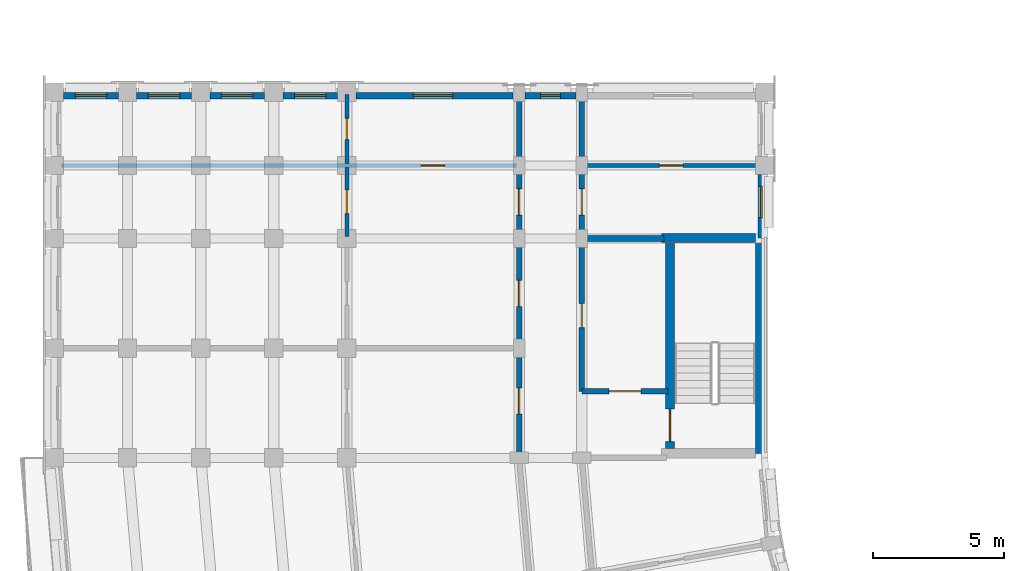
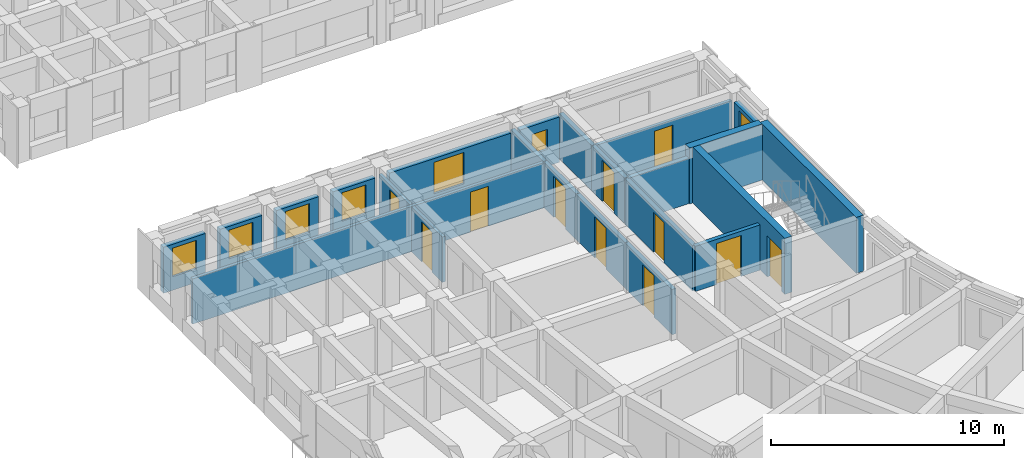
# One storey, part 20 of 57: 23 walls, 11 doors, 7 windows, 18 openings.
"""IFC4 building model written with IfcOpenShell, lengths in metres."""

import ifcopenshell
import ifcopenshell.guid

model = None  # the IFC model being written
_history = None  # IfcOwnerHistory: only IFC2X3 demands one
_inside = {}  # id of a spatial element -> (the spatial element, [elements in it])
_under = {}  # id of a project, library or spatial element -> (it, [spatial elements below it])
_declared = {}  # id of a project -> (the project, [libraries it declares])
_typed = {}  # id of a type object -> (the type object, [elements of that type])
_made_of = {}  # id of a material, layer set ... -> (it, [elements and type objects made of it])


def new_model(schema):
    """Start an empty IFC model of exactly this schema.

    Asked for "IFC4X3", IfcOpenShell would pick the latest addendum, in which some entities
    have other attributes; the version numbers below select the first issue.
    IFC2X3 requires an IfcOwnerHistory on every rooted entity: one is made here for all.
    """
    global model, _history
    if schema == "IFC4X3":
        model = ifcopenshell.file(schema_version=(4, 3, 0, 0))
    else:
        model = ifcopenshell.file(schema=schema)
    _inside.clear()
    _under.clear()
    _declared.clear()
    _typed.clear()
    _made_of.clear()
    _history = None
    if model.schema == "IFC2X3":
        org = make("IfcOrganization", Name="unknown")
        user = make(
            "IfcPersonAndOrganization",
            ThePerson=make("IfcPerson", FamilyName="unknown"),
            TheOrganization=org,
        )
        app = make(
            "IfcApplication",
            ApplicationDeveloper=org,
            Version="unknown",
            ApplicationFullName="unknown",
            ApplicationIdentifier="unknown",
        )
        _history = make(
            "IfcOwnerHistory",
            OwningUser=user,
            OwningApplication=app,
            ChangeAction="ADDED",
            CreationDate=0,
        )
    return model


def make(cls, **values):
    """One entity of the class cls with the attributes given. An attribute that is None is left unset."""
    return model.create_entity(
        cls, **{name: value for name, value in values.items() if value is not None}
    )


def rooted(cls, **values):
    """An entity with a GlobalId (a new one), such as an element, a storey or a relation."""
    return make(cls, GlobalId=ifcopenshell.guid.new(), OwnerHistory=_history, **values)


def si_unit(unit_type, name, prefix=None):
    """IfcSIUnit, for example si_unit("LENGTHUNIT", "METRE", prefix="MILLI")."""
    return make("IfcSIUnit", UnitType=unit_type, Prefix=prefix, Name=name)


def assignment(units):
    """IfcUnitAssignment: the units of a project."""
    return None if units is None else make("IfcUnitAssignment", Units=units)


def point(xyz):
    """IfcCartesianPoint."""
    return None if xyz is None else make("IfcCartesianPoint", Coordinates=xyz)


def direction(xyz):
    """IfcDirection."""
    return None if xyz is None else make("IfcDirection", DirectionRatios=xyz)


def frame(location, z_axis=None, x_axis=None):
    """IfcAxis2Placement3D, a coordinate frame: its origin and axes. An axis left out is left unset."""
    return make(
        "IfcAxis2Placement3D",
        Location=point(location),
        Axis=direction(z_axis),
        RefDirection=direction(x_axis),
    )


def frame_2d(location, x_axis=None):
    """IfcAxis2Placement2D, a coordinate frame in the plane: its origin and x axis."""
    return make(
        "IfcAxis2Placement2D", Location=point(location), RefDirection=direction(x_axis)
    )


def origin():
    """The frame at (0, 0, 0) with its axes left unset."""
    return frame((0.0, 0.0, 0.0))


def place(relative_to, where):
    """IfcLocalPlacement: puts the frame where relative to a parent placement (None: the world)."""
    return make(
        "IfcLocalPlacement", PlacementRelTo=relative_to, RelativePlacement=where
    )


def context(
    kind, dimensions, precision=None, world=None, true_north=None, identifier=None
):
    """IfcGeometricRepresentationContext, for example the 3D "Model" context."""
    return make(
        "IfcGeometricRepresentationContext",
        ContextIdentifier=identifier,
        ContextType=kind,
        CoordinateSpaceDimension=dimensions,
        Precision=precision,
        WorldCoordinateSystem=world,
        TrueNorth=true_north,
    )


def subcontext(parent, identifier, kind, view, scale=None):
    """IfcGeometricRepresentationSubContext, for example "Body" below "Model"."""
    return make(
        "IfcGeometricRepresentationSubContext",
        ContextIdentifier=identifier,
        ContextType=kind,
        ParentContext=parent,
        TargetScale=scale,
        TargetView=view,
    )


def project(units=None, contexts=None):
    """IfcProject with its units and contexts."""
    return rooted(
        "IfcProject",
        Name="project",
        RepresentationContexts=contexts,
        UnitsInContext=assignment(units),
    )


def spatial(cls, under=None, at=None, **own):
    """A site, building, storey or space (cls), placed at a placement, below another one or the project."""
    s = rooted(cls, ObjectPlacement=at, **own)
    if under is not None:
        _under.setdefault(under.id(), (under, []))[1].append(s)
    return s


def profile(cls, at=None, kind="AREA", **sizes):
    """A parametric profile (cls). Its sizes go by their IFC names, for example OverallWidth=200.0."""
    return make(cls, ProfileType=kind, Position=at, **sizes)


def rectangle(**sizes):
    """IfcRectangleProfileDef."""
    return profile("IfcRectangleProfileDef", **sizes)


def extrude(swept, where, along, depth):
    """IfcExtrudedAreaSolid: the profile swept, set in the frame where, extruded along a direction by depth."""
    return make(
        "IfcExtrudedAreaSolid",
        SweptArea=swept,
        Position=where,
        ExtrudedDirection=direction(along),
        Depth=depth,
    )


def shape(context_of_items, identifier, shape_type, items):
    """IfcShapeRepresentation: the items that make up one representation, for example the "Body"."""
    return make(
        "IfcShapeRepresentation",
        ContextOfItems=context_of_items,
        RepresentationIdentifier=identifier,
        RepresentationType=shape_type,
        Items=items,
    )


def material(Name=None, Category=None):
    """IfcMaterial."""
    return make("IfcMaterial", Name=Name, Category=Category)


def layer(
    of_material, thickness, ventilated=None, Name=None, Category=None, Priority=None
):
    """IfcMaterialLayer: one layer of a wall or slab, of a material (None: an air gap)."""
    return make(
        "IfcMaterialLayer",
        Material=of_material,
        LayerThickness=thickness,
        IsVentilated=ventilated,
        Name=Name,
        Category=Category,
        Priority=Priority,
    )


def layer_set(layers, Name=None):
    """IfcMaterialLayerSet."""
    return make("IfcMaterialLayerSet", MaterialLayers=layers, LayerSetName=Name)


def made_of(thing, what):
    """Note that an element or type object is made of a material, layer set ...; save() writes the relation."""
    if what is not None:
        _made_of.setdefault(what.id(), (what, []))[1].append(thing)
    return thing


def type_object(cls, material=None, **own):
    """A type object (cls), such as IfcWallType, which elements share."""
    return made_of(rooted(cls, **own), material)


def element(
    cls,
    number,
    at=None,
    inside=None,
    cuts=None,
    type_object=None,
    material=None,
    context=None,
    identifier="Body",
    shape_type=None,
    held_by="IfcProductDefinitionShape",
    body=None,
    shapes=None,
    **own,
):
    """One element of the class cls, such as IfcWall. Its Tag is "e" and its number.

    at: its placement. inside: the storey or other place that contains it. cuts: it is an
    opening in that element (IfcRelVoidsElement). A single representation is given by context,
    identifier, shape_type and body (its items); several are given by shapes. held_by: the class
    of the entity that holds the representations. save() writes the other relations.
    """
    e = rooted(cls, Tag="e%d" % number, ObjectPlacement=at, **own)
    if body is not None:
        shapes = [shape(context, identifier, shape_type, body)]
    if shapes is not None:
        e.Representation = make(held_by, Representations=shapes)
    if inside is not None:
        _inside.setdefault(inside.id(), (inside, []))[1].append(e)
    if cuts is not None:
        rooted(
            "IfcRelVoidsElement", RelatingBuildingElement=cuts, RelatedOpeningElement=e
        )
    if type_object is not None:
        _typed.setdefault(type_object.id(), (type_object, []))[1].append(e)
    return made_of(e, material)


def fill(opening, filler):
    """IfcRelFillsElement: the door or window that sits in an opening."""
    return rooted(
        "IfcRelFillsElement",
        RelatingOpeningElement=opening,
        RelatedBuildingElement=filler,
    )


def aggregate(whole, parts):
    """IfcRelAggregates: a whole, such as a stair, and the parts it consists of."""
    return rooted("IfcRelAggregates", RelatingObject=whole, RelatedObjects=parts)


def save(model, path):
    """Write the relations noted so far, then the file.

    IfcRelAggregates (storeys below a building ...), IfcRelContainedInSpatialStructure (elements
    in a storey), IfcRelDefinesByType, IfcRelAssociatesMaterial and IfcRelDeclares: one each for
    every whole, place, type object, material and project.
    """
    for whole, parts in _under.values():
        aggregate(whole, parts)
    for where, things in _inside.values():
        rooted(
            "IfcRelContainedInSpatialStructure",
            RelatedElements=things,
            RelatingStructure=where,
        )
    for kind, things in _typed.values():
        rooted("IfcRelDefinesByType", RelatedObjects=things, RelatingType=kind)
    for what, things in _made_of.values():
        rooted("IfcRelAssociatesMaterial", RelatedObjects=things, RelatingMaterial=what)
    for by, libraries in _declared.values():
        rooted("IfcRelDeclares", RelatingContext=by, RelatedDefinitions=libraries)
    model.write(path)


model = new_model("IFC4")

# Units and contexts
model_context = context("Model", 3, precision=1e-05, world=origin(), true_north=direction((0.0, 1.0)))
body_context = subcontext(model_context, "Body", "Model", "MODEL_VIEW")
ifc_project = project(units=[si_unit("LENGTHUNIT", "METRE"), si_unit("AREAUNIT", "SQUARE_METRE"), si_unit("VOLUMEUNIT", "CUBIC_METRE"), si_unit("PLANEANGLEUNIT", "RADIAN"), si_unit("MASSUNIT", "GRAM", prefix="KILO")], contexts=[model_context])

# Site, building, storey
site_placement = place(None, origin())
site = spatial("IfcSite", under=ifc_project, at=site_placement, CompositionType="ELEMENT")
building_placement = place(site_placement, origin())
building = spatial("IfcBuilding", under=site, at=building_placement, Name="Kiranvali Square Residences", CompositionType="ELEMENT")
storey_placement = place(building_placement, frame((0.0, 0.0, 18.14990234375)))
storey = spatial("IfcBuildingStorey", under=building, at=storey_placement, Name="L05", CompositionType="ELEMENT", Elevation=18.14990234375)

# Wall, opening, door
ifc_material_1 = material(Name="Autoclaved aerated concrete blockwork masonry", Category="masonry")
ifc_layer_1 = layer(ifc_material_1, 0.199951171875)
ifc_layer_set_1 = layer_set([ifc_layer_1], Name="Autoclaved aerated concrete blockwork masonry")
wall_type_1 = type_object("IfcWallType", Name="WL-COR-200", PredefinedType="STANDARD", material=ifc_layer_set_1)
wall_1_placement = place(storey_placement, frame((25.699951171875, 50.75, 0.0), z_axis=(0.0, 0.0, 1.0), x_axis=(-1.0, 0.0, 0.0)))
wall_1 = element("IfcWall", 1, at=wall_1_placement, inside=storey, type_object=wall_type_1, Name="L05 architectural wall WL-L05-C-S3-V", PredefinedType="STANDARD", context=body_context, shape_type="SweptSolid", body=[
    extrude(rectangle(XDim=3.300048828125, YDim=0.199951171875, at=frame_2d((1.64990234375, 0.0))), origin(), (0.0, 0.0, 1.0), 2.3720703125),
])
opening_1_placement = place(wall_1_placement, frame((1.0400390625, 0.0, 0.0)))
opening_1 = element("IfcOpeningElement", 2, at=opening_1_placement, cuts=wall_1, Name="Opening FD-COR-60", PredefinedType="OPENING", context=body_context, shape_type="SweptSolid", body=[
    extrude(rectangle(XDim=1.219970703125, YDim=2.14990234375, at=frame_2d((0.60986328125, 1.074951171875))), frame((0.0, 0.10986328125, 0.0), z_axis=(0.0, -1.0, 0.0), x_axis=(1.0, 0.0, 0.0)), (0.0, 0.0, 1.0), 0.219970703125),
])
ifc_material_2 = material(Name="Fire-rated acoustic hardwood and mineral-core door assembly", Category="wood")
door_type_1 = type_object("IfcDoorType", Name="DR-FD60-1200", OperationType="NOTDEFINED", PredefinedType="DOOR", material=ifc_material_2)
door_1_placement = place(opening_1_placement, origin())
door_1 = element("IfcDoor", 3, at=door_1_placement, inside=storey, type_object=door_type_1, Name="L05 door DR-L05-2029 (DR-FD60-1200)", OperationType="SINGLE_SWING_LEFT", OverallHeight=2.14990234375, OverallWidth=1.219970703125, PredefinedType="DOOR", context=body_context, shape_type="SweptSolid", body=[
    extrude(rectangle(XDim=1.219970703125, YDim=2.14990234375, at=frame_2d((0.60986328125, 1.074951171875))), frame((0.0, 0.02490234375, 0.0), z_axis=(0.0, -1.0, 0.0), x_axis=(1.0, 0.0, 0.0)), (0.0, 0.0, 1.0), 0.050048828125),
])
fill(opening_1, door_1)

wall_2_placement = place(storey_placement, frame((22.39990234375, 50.75, 0.0), z_axis=(0.0, 0.0, 1.0), x_axis=(0.0, 1.0, 0.0)))
wall_2 = element("IfcWall", 4, at=wall_2_placement, inside=storey, type_object=wall_type_1, Name="L05 architectural wall WL-L05-C-S3-COR", PredefinedType="STANDARD", context=body_context, shape_type="SweptSolid", body=[
    extrude(rectangle(XDim=5.800048828125, YDim=0.199951171875, at=frame_2d((2.89990234375, 0.0))), origin(), (0.0, 0.0, 1.0), 2.3720703125),
])
opening_2_placement = place(wall_2_placement, frame((2.43994140625, 0.0, 0.0)))
opening_2 = element("IfcOpeningElement", 5, at=opening_2_placement, cuts=wall_2, Name="Opening FD-SVC-120", PredefinedType="OPENING", context=body_context, shape_type="SweptSolid", body=[
    extrude(rectangle(XDim=0.919921875, YDim=2.10009765625, at=frame_2d((0.4599609375, 1.050048828125))), frame((0.0, 0.10986328125, 0.0), z_axis=(0.0, -1.0, 0.0), x_axis=(1.0, 0.0, 0.0)), (0.0, 0.0, 1.0), 0.219970703125),
])
door_type_2 = type_object("IfcDoorType", Name="DR-SVC-900", OperationType="NOTDEFINED", PredefinedType="DOOR", material=ifc_material_2)
door_2_placement = place(opening_2_placement, frame((0.919921875, 0.0, 0.0), z_axis=(0.0, 0.0, 1.0), x_axis=(-1.0, 0.0, 0.0)))
door_2 = element("IfcDoor", 6, at=door_2_placement, inside=storey, type_object=door_type_2, Name="L05 door DR-L05-2030 (DR-SVC-900)", OperationType="SINGLE_SWING_RIGHT", OverallHeight=2.10009765625, OverallWidth=0.919921875, PredefinedType="DOOR", context=body_context, shape_type="SweptSolid", body=[
    extrude(rectangle(XDim=0.919921875, YDim=2.10009765625, at=frame_2d((0.4599609375, 1.050048828125))), frame((0.0, 0.02490234375, 0.0), z_axis=(0.0, -1.0, 0.0), x_axis=(1.0, 0.0, 0.0)), (0.0, 0.0, 1.0), 0.050048828125),
])
fill(opening_2, door_2)

wall_3_placement = place(storey_placement, frame((20.0, 48.35009765625, 0.0), z_axis=(0.0, 0.0, 1.0), x_axis=(0.0, 1.0, 0.0)))
wall_3 = element("IfcWall", 7, at=wall_3_placement, inside=storey, type_object=wall_type_1, Name="L05 architectural wall WL-L05-C-A2CF-C0", PredefinedType="STANDARD", context=body_context, shape_type="SweptSolid", body=[
    extrude(rectangle(XDim=4.0498046875, YDim=0.199951171875, at=frame_2d((2.02490234375, 0.0))), origin(), (0.0, 0.0, 1.0), 2.3720703125),
])
opening_3_placement = place(wall_3_placement, frame((1.52490234375, 0.0, 0.0)))
opening_3 = element("IfcOpeningElement", 8, at=opening_3_placement, cuts=wall_3, Name="Opening FD-APT-60", PredefinedType="OPENING", context=body_context, shape_type="SweptSolid", body=[
    extrude(rectangle(XDim=1.0, YDim=2.14990234375, at=frame_2d((0.5, 1.074951171875))), frame((0.0, 0.10986328125, 0.0), z_axis=(0.0, -1.0, 0.0), x_axis=(1.0, 0.0, 0.0)), (0.0, 0.0, 1.0), 0.219970703125),
])
door_type_3 = type_object("IfcDoorType", Name="DR-APT-1000", OperationType="NOTDEFINED", PredefinedType="DOOR", material=ifc_material_2)
door_3_placement = place(opening_3_placement, frame((1.0, 0.0, 0.0), z_axis=(0.0, 0.0, 1.0), x_axis=(-1.0, 0.0, 0.0)))
door_3 = element("IfcDoor", 9, at=door_3_placement, inside=storey, type_object=door_type_3, Name="L05 door DR-L05-2074 (DR-APT-1000)", OperationType="SINGLE_SWING_RIGHT", OverallHeight=2.14990234375, OverallWidth=1.0, PredefinedType="DOOR", context=body_context, shape_type="SweptSolid", body=[
    extrude(rectangle(XDim=1.0, YDim=2.14990234375, at=frame_2d((0.5, 1.074951171875))), frame((0.0, 0.02490234375, 0.0), z_axis=(0.0, -1.0, 0.0), x_axis=(1.0, 0.0, 0.0)), (0.0, 0.0, 1.0), 0.050048828125),
])
fill(opening_3, door_3)

wall_4_placement = place(storey_placement, frame((20.0, 52.39990234375, 0.0), z_axis=(0.0, 0.0, 1.0), x_axis=(0.0, 1.0, 0.0)))
wall_4 = element("IfcWall", 10, at=wall_4_placement, inside=storey, type_object=wall_type_1, Name="L05 architectural wall WL-L05-C-A2CF-C1", PredefinedType="STANDARD", context=body_context, shape_type="SweptSolid", body=[
    extrude(rectangle(XDim=4.2001953125, YDim=0.199951171875, at=frame_2d((2.10009765625, 0.0))), origin(), (0.0, 0.0, 1.0), 2.3720703125),
])
opening_4_placement = place(wall_4_placement, frame((1.60009765625, 0.0, 0.0)))
opening_4 = element("IfcOpeningElement", 11, at=opening_4_placement, cuts=wall_4, Name="Opening FD-APT-60", PredefinedType="OPENING", context=body_context, shape_type="SweptSolid", body=[
    extrude(rectangle(XDim=1.0, YDim=2.14990234375, at=frame_2d((0.5, 1.074951171875))), frame((0.0, 0.10986328125, 0.0), z_axis=(0.0, -1.0, 0.0), x_axis=(1.0, 0.0, 0.0)), (0.0, 0.0, 1.0), 0.219970703125),
])
door_4_placement = place(opening_4_placement, frame((1.0, 0.0, 0.0), z_axis=(0.0, 0.0, 1.0), x_axis=(-1.0, 0.0, 0.0)))
door_4 = element("IfcDoor", 12, at=door_4_placement, inside=storey, type_object=door_type_3, Name="L05 door DR-L05-2076 (DR-APT-1000)", OperationType="SINGLE_SWING_RIGHT", OverallHeight=2.14990234375, OverallWidth=1.0, PredefinedType="DOOR", context=body_context, shape_type="SweptSolid", body=[
    extrude(rectangle(XDim=1.0, YDim=2.14990234375, at=frame_2d((0.5, 1.074951171875))), frame((0.0, 0.02490234375, 0.0), z_axis=(0.0, -1.0, 0.0), x_axis=(1.0, 0.0, 0.0)), (0.0, 0.0, 1.0), 0.050048828125),
])
fill(opening_4, door_4)

wall_5_placement = place(storey_placement, frame((22.39990234375, 56.60009765625, 0.0), z_axis=(0.0, 0.0, 1.0), x_axis=(0.0, 1.0, 0.0)))
wall_5 = element("IfcWall", 13, at=wall_5_placement, inside=storey, type_object=wall_type_1, Name="L05 architectural wall WL-L05-C-A2CI-0", PredefinedType="STANDARD", context=body_context, shape_type="SweptSolid", body=[
    extrude(rectangle(XDim=2.7998046875, YDim=0.199951171875, at=frame_2d((1.39990234375, 0.0))), origin(), (0.0, 0.0, 1.0), 2.3720703125),
])
opening_5_placement = place(wall_5_placement, frame((0.89990234375, 0.0, 0.0)))
opening_5 = element("IfcOpeningElement", 14, at=opening_5_placement, cuts=wall_5, Name="Opening FD-APT-60", PredefinedType="OPENING", context=body_context, shape_type="SweptSolid", body=[
    extrude(rectangle(XDim=1.0, YDim=2.14990234375, at=frame_2d((0.5, 1.074951171875))), frame((0.0, 0.10986328125, 0.0), z_axis=(0.0, -1.0, 0.0), x_axis=(1.0, 0.0, 0.0)), (0.0, 0.0, 1.0), 0.219970703125),
])
door_5_placement = place(opening_5_placement, frame((1.0, 0.0, 0.0), z_axis=(0.0, 0.0, 1.0), x_axis=(-1.0, 0.0, 0.0)))
door_5 = element("IfcDoor", 15, at=door_5_placement, inside=storey, type_object=door_type_3, Name="L05 door DR-L05-2078 (DR-APT-1000)", OperationType="SINGLE_SWING_RIGHT", OverallHeight=2.14990234375, OverallWidth=1.0, PredefinedType="DOOR", context=body_context, shape_type="SweptSolid", body=[
    extrude(rectangle(XDim=1.0, YDim=2.14990234375, at=frame_2d((0.5, 1.074951171875))), frame((0.0, 0.02490234375, 0.0), z_axis=(0.0, -1.0, 0.0), x_axis=(1.0, 0.0, 0.0)), (0.0, 0.0, 1.0), 0.050048828125),
])
fill(opening_5, door_5)

wall_6_placement = place(storey_placement, frame((20.0, 56.60009765625, 0.0), z_axis=(0.0, 0.0, 1.0), x_axis=(0.0, 1.0, 0.0)))
wall_6 = element("IfcWall", 16, at=wall_6_placement, inside=storey, type_object=wall_type_1, Name="L05 architectural wall WL-L05-C-A2CO-0", PredefinedType="STANDARD", context=body_context, shape_type="SweptSolid", body=[
    extrude(rectangle(XDim=2.7998046875, YDim=0.199951171875, at=frame_2d((1.39990234375, 0.0))), origin(), (0.0, 0.0, 1.0), 2.3720703125),
])
opening_6_placement = place(wall_6_placement, frame((0.89990234375, 0.0, 0.0)))
opening_6 = element("IfcOpeningElement", 17, at=opening_6_placement, cuts=wall_6, Name="Opening FD-APT-60", PredefinedType="OPENING", context=body_context, shape_type="SweptSolid", body=[
    extrude(rectangle(XDim=1.0, YDim=2.14990234375, at=frame_2d((0.5, 1.074951171875))), frame((0.0, 0.10986328125, 0.0), z_axis=(0.0, -1.0, 0.0), x_axis=(1.0, 0.0, 0.0)), (0.0, 0.0, 1.0), 0.219970703125),
])
door_6_placement = place(opening_6_placement, frame((1.0, 0.0, 0.0), z_axis=(0.0, 0.0, 1.0), x_axis=(-1.0, 0.0, 0.0)))
door_6 = element("IfcDoor", 18, at=door_6_placement, inside=storey, type_object=door_type_3, Name="L05 door DR-L05-2080 (DR-APT-1000)", OperationType="SINGLE_SWING_RIGHT", OverallHeight=2.14990234375, OverallWidth=1.0, PredefinedType="DOOR", context=body_context, shape_type="SweptSolid", body=[
    extrude(rectangle(XDim=1.0, YDim=2.14990234375, at=frame_2d((0.5, 1.074951171875))), frame((0.0, 0.02490234375, 0.0), z_axis=(0.0, -1.0, 0.0), x_axis=(1.0, 0.0, 0.0)), (0.0, 0.0, 1.0), 0.050048828125),
])
fill(opening_6, door_6)

# Walls
for number, where, z_axis, x_axis, name in (
    (19, (22.39990234375, 59.39990234375, 0.0), (0.0, 0.0, 1.0), (0.0, 1.0, 0.0), "L05 architectural wall WL-L05-C-A2CI-1"),
    (20, (20.0, 59.39990234375, 0.0), (0.0, 0.0, 1.0), (0.0, 1.0, 0.0), "L05 architectural wall WL-L05-C-A2CO-1"),
):
    element("IfcWall", number, at=place(storey_placement, frame(where, z_axis=z_axis, x_axis=x_axis)), inside=storey, type_object=wall_type_1, Name=name, PredefinedType="STANDARD", context=body_context, shape_type="SweptSolid", body=[
        extrude(rectangle(XDim=2.800048828125, YDim=0.199951171875, at=frame_2d((1.39990234375, 0.0))), origin(), (0.0, 0.0, 1.0), 2.3720703125),
    ])
ifc_layer_2 = layer(ifc_material_1, 0.219970703125)
ifc_layer_set_2 = layer_set([ifc_layer_2], Name="Autoclaved aerated concrete blockwork masonry")
wall_type_2 = type_object("IfcWallType", Name="WL-DEM-220", PredefinedType="STANDARD", material=ifc_layer_set_2)
wall_7_placement = place(storey_placement, frame((25.550048828125, 56.60009765625, 0.0), z_axis=(0.0, 0.0, 1.0), x_axis=(-1.0, 0.0, 0.0)))
element("IfcWall", 21, at=wall_7_placement, inside=storey, type_object=wall_type_2, Name="L05 architectural wall WL-L05-C-A2TI-0", PredefinedType="STANDARD", context=body_context, shape_type="SweptSolid", body=[
    extrude(rectangle(XDim=3.10009765625, YDim=0.219970703125, at=frame_2d((1.550048828125, 0.0))), origin(), (0.0, 0.0, 1.0), 2.3720703125),
])

# Wall, opening, window
ifc_material_3 = material(Name="Breathable lime-rendered clay brick masonry", Category="masonry")
ifc_layer_3 = layer(ifc_material_3, 0.25)
ifc_layer_set_3 = layer_set([ifc_layer_3], Name="Breathable lime-rendered clay brick masonry")
wall_type_3 = type_object("IfcWallType", Name="WL-EXT-250", PredefinedType="STANDARD", material=ifc_layer_set_3)
wall_8_placement = place(storey_placement, frame((29.27490234375, 56.62841796875, 0.0), z_axis=(0.0, 0.0, 1.0), x_axis=(0.0, 1.0, 0.0)))
wall_8 = element("IfcWall", 22, at=wall_8_placement, inside=storey, type_object=wall_type_3, Name="L05 exterior wall C-L05-A2I-0", PredefinedType="STANDARD", context=body_context, shape_type="SweptSolid", body=[
    extrude(rectangle(XDim=2.41796875, YDim=0.25, at=frame_2d((1.208984375, 0.0))), origin(), (0.0, 0.0, 1.0), 2.47216796875),
])
opening_7_placement = place(wall_8_placement, frame((0.771484375, 0.0, 0.77197265625)))
opening_7 = element("IfcOpeningElement", 23, at=opening_7_placement, cuts=wall_8, Name="Opening W-06", PredefinedType="OPENING", context=body_context, shape_type="SweptSolid", body=[
    extrude(rectangle(XDim=1.199951171875, YDim=1.5, at=frame_2d((0.60009765625, 0.75))), frame((0.0, 0.135009765625, 0.0), z_axis=(0.0, -1.0, 0.0), x_axis=(1.0, 0.0, 0.0)), (0.0, 0.0, 1.0), 0.27001953125),
])
ifc_material_4 = material(Name="Solar-control low-e double glazing", Category="glass")
window_type_1 = type_object("IfcWindowType", Name="WIN-RES-1200x1500", PartitioningType="SINGLE_PANEL", PredefinedType="WINDOW", material=ifc_material_4)
window_1_placement = place(opening_7_placement, origin())
window_1 = element("IfcWindow", 24, at=window_1_placement, inside=storey, type_object=window_type_1, Name="L05 recessed window C-L05-A2I-0", OverallHeight=1.5, OverallWidth=1.199951171875, PartitioningType="SINGLE_PANEL", PredefinedType="WINDOW", context=body_context, shape_type="SweptSolid", body=[
    extrude(rectangle(XDim=1.199951171875, YDim=1.5, at=frame_2d((0.60009765625, 0.75))), frame((0.0, 0.030029296875, 0.0), z_axis=(0.0, -1.0, 0.0), x_axis=(1.0, 0.0, 0.0)), (0.0, 0.0, 1.0), 0.06005859375),
])
fill(opening_7, window_1)

wall_9_placement = place(storey_placement, frame((22.17138671875, 62.074951171875, 0.0), z_axis=(0.0, 0.0, 1.0), x_axis=(-1.0, 0.0, 0.0)))
wall_9 = element("IfcWall", 25, at=wall_9_placement, inside=storey, type_object=wall_type_3, Name="L05 exterior wall C-L05-A2END-1", PredefinedType="STANDARD", context=body_context, shape_type="SweptSolid", body=[
    extrude(rectangle(XDim=1.94287109375, YDim=0.25, at=frame_2d((0.971435546875, 0.0))), origin(), (0.0, 0.0, 1.0), 2.3720703125),
])
opening_8_placement = place(wall_9_placement, frame((0.596435546875, 0.0, 0.8798828125)))
opening_8 = element("IfcOpeningElement", 26, at=opening_8_placement, cuts=wall_9, Name="Opening W-07", PredefinedType="OPENING", context=body_context, shape_type="SweptSolid", body=[
    extrude(rectangle(XDim=0.75, YDim=1.050048828125, at=frame_2d((0.375, 0.52490234375))), frame((0.0, 0.135009765625, 0.0), z_axis=(0.0, -1.0, 0.0), x_axis=(1.0, 0.0, 0.0)), (0.0, 0.0, 1.0), 0.27001953125),
])
window_type_2 = type_object("IfcWindowType", Name="WIN-WET-750x1050", PartitioningType="SINGLE_PANEL", PredefinedType="WINDOW", material=ifc_material_4)
window_2_placement = place(opening_8_placement, origin())
window_2 = element("IfcWindow", 27, at=window_2_placement, inside=storey, type_object=window_type_2, Name="L05 recessed window C-L05-A2END-1", OverallHeight=1.050048828125, OverallWidth=0.75, PartitioningType="SINGLE_PANEL", PredefinedType="WINDOW", context=body_context, shape_type="SweptSolid", body=[
    extrude(rectangle(XDim=0.75, YDim=1.050048828125, at=frame_2d((0.375, 0.52490234375))), frame((0.0, 0.030029296875, 0.0), z_axis=(0.0, -1.0, 0.0), x_axis=(1.0, 0.0, 0.0)), (0.0, 0.0, 1.0), 0.06005859375),
])
fill(opening_8, window_2)

wall_10_placement = place(storey_placement, frame((19.771484375, 62.074951171875, 0.0), z_axis=(0.0, 0.0, 1.0), x_axis=(-1.0, 0.0, 0.0)))
wall_10 = element("IfcWall", 28, at=wall_10_placement, inside=storey, type_object=wall_type_3, Name="L05 exterior wall C-L05-A2END-2", PredefinedType="STANDARD", context=body_context, shape_type="SweptSolid", body=[
    extrude(rectangle(XDim=6.01806640625, YDim=0.25, at=frame_2d((3.009033203125, 0.0))), origin(), (0.0, 0.0, 1.0), 2.3720703125),
])
opening_9_placement = place(wall_10_placement, frame((2.321533203125, 0.0, 0.52197265625)))
opening_9 = element("IfcOpeningElement", 29, at=opening_9_placement, cuts=wall_10, Name="Opening W-05", PredefinedType="OPENING", context=body_context, shape_type="SweptSolid", body=[
    extrude(rectangle(XDim=1.5, YDim=1.64990234375, at=frame_2d((0.75, 0.824951171875))), frame((0.0, 0.135009765625, 0.0), z_axis=(0.0, -1.0, 0.0), x_axis=(1.0, 0.0, 0.0)), (0.0, 0.0, 1.0), 0.27001953125),
])
window_type_3 = type_object("IfcWindowType", Name="WIN-RES-1500x1650", PartitioningType="DOUBLE_PANEL_VERTICAL", PredefinedType="WINDOW", material=ifc_material_4)
window_3_placement = place(opening_9_placement, origin())
window_3 = element("IfcWindow", 30, at=window_3_placement, inside=storey, type_object=window_type_3, Name="L05 recessed window C-L05-A2END-2", OverallHeight=1.64990234375, OverallWidth=1.5, PartitioningType="DOUBLE_PANEL_VERTICAL", PredefinedType="WINDOW", context=body_context, shape_type="SweptSolid", body=[
    extrude(rectangle(XDim=1.5, YDim=1.64990234375, at=frame_2d((0.75, 0.824951171875))), frame((0.0, 0.030029296875, 0.0), z_axis=(0.0, -1.0, 0.0), x_axis=(1.0, 0.0, 0.0)), (0.0, 0.0, 1.0), 0.06005859375),
])
fill(opening_9, window_3)

wall_11_placement = place(storey_placement, frame((13.04638671875, 62.074951171875, 0.0), z_axis=(0.0, 0.0, 1.0), x_axis=(-1.0, 0.0, 0.0)))
wall_11 = element("IfcWall", 31, at=wall_11_placement, inside=storey, type_object=wall_type_3, Name="L05 exterior wall C-L05-A2END-3", PredefinedType="STANDARD", context=body_context, shape_type="SweptSolid", body=[
    extrude(rectangle(XDim=2.0927734375, YDim=0.25, at=frame_2d((1.04638671875, 0.0))), origin(), (0.0, 0.0, 1.0), 2.3720703125),
])
opening_10_placement = place(wall_11_placement, frame((0.446533203125, 0.0, 0.672119140625)))
opening_10 = element("IfcOpeningElement", 32, at=opening_10_placement, cuts=wall_11, Name="Opening W-06", PredefinedType="OPENING", context=body_context, shape_type="SweptSolid", body=[
    extrude(rectangle(XDim=1.199951171875, YDim=1.5, at=frame_2d((0.60009765625, 0.75))), frame((0.0, 0.135009765625, 0.0), z_axis=(0.0, -1.0, 0.0), x_axis=(1.0, 0.0, 0.0)), (0.0, 0.0, 1.0), 0.27001953125),
])
window_4_placement = place(opening_10_placement, origin())
window_4 = element("IfcWindow", 33, at=window_4_placement, inside=storey, type_object=window_type_1, Name="L05 recessed window C-L05-A2END-3", OverallHeight=1.5, OverallWidth=1.199951171875, PartitioningType="SINGLE_PANEL", PredefinedType="WINDOW", context=body_context, shape_type="SweptSolid", body=[
    extrude(rectangle(XDim=1.199951171875, YDim=1.5, at=frame_2d((0.60009765625, 0.75))), frame((0.0, 0.030029296875, 0.0), z_axis=(0.0, -1.0, 0.0), x_axis=(1.0, 0.0, 0.0)), (0.0, 0.0, 1.0), 0.06005859375),
])
fill(opening_10, window_4)

wall_12_placement = place(storey_placement, frame((10.24658203125, 62.074951171875, 0.0), z_axis=(0.0, 0.0, 1.0), x_axis=(-1.0, 0.0, 0.0)))
wall_12 = element("IfcWall", 34, at=wall_12_placement, inside=storey, type_object=wall_type_3, Name="L05 exterior wall C-L05-A2END-4", PredefinedType="STANDARD", context=body_context, shape_type="SweptSolid", body=[
    extrude(rectangle(XDim=2.093017578125, YDim=0.25, at=frame_2d((1.04638671875, 0.0))), origin(), (0.0, 0.0, 1.0), 2.3720703125),
])
opening_11_placement = place(wall_12_placement, frame((0.446533203125, 0.0, 0.672119140625)))
opening_11 = element("IfcOpeningElement", 35, at=opening_11_placement, cuts=wall_12, Name="Opening W-06", PredefinedType="OPENING", context=body_context, shape_type="SweptSolid", body=[
    extrude(rectangle(XDim=1.199951171875, YDim=1.5, at=frame_2d((0.60009765625, 0.75))), frame((0.0, 0.135009765625, 0.0), z_axis=(0.0, -1.0, 0.0), x_axis=(1.0, 0.0, 0.0)), (0.0, 0.0, 1.0), 0.27001953125),
])
window_5_placement = place(opening_11_placement, origin())
window_5 = element("IfcWindow", 36, at=window_5_placement, inside=storey, type_object=window_type_1, Name="L05 recessed window C-L05-A2END-4", OverallHeight=1.5, OverallWidth=1.199951171875, PartitioningType="SINGLE_PANEL", PredefinedType="WINDOW", context=body_context, shape_type="SweptSolid", body=[
    extrude(rectangle(XDim=1.199951171875, YDim=1.5, at=frame_2d((0.60009765625, 0.75))), frame((0.0, 0.030029296875, 0.0), z_axis=(0.0, -1.0, 0.0), x_axis=(1.0, 0.0, 0.0)), (0.0, 0.0, 1.0), 0.06005859375),
])
fill(opening_11, window_5)

wall_13_placement = place(storey_placement, frame((7.446533203125, 62.074951171875, 0.0), z_axis=(0.0, 0.0, 1.0), x_axis=(-1.0, 0.0, 0.0)))
wall_13 = element("IfcWall", 37, at=wall_13_placement, inside=storey, type_object=wall_type_3, Name="L05 exterior wall C-L05-A2END-5", PredefinedType="STANDARD", context=body_context, shape_type="SweptSolid", body=[
    extrude(rectangle(XDim=2.093017578125, YDim=0.25, at=frame_2d((1.04638671875, 0.0))), origin(), (0.0, 0.0, 1.0), 2.3720703125),
])
opening_12_placement = place(wall_13_placement, frame((0.446533203125, 0.0, 0.672119140625)))
opening_12 = element("IfcOpeningElement", 38, at=opening_12_placement, cuts=wall_13, Name="Opening W-06", PredefinedType="OPENING", context=body_context, shape_type="SweptSolid", body=[
    extrude(rectangle(XDim=1.199951171875, YDim=1.5, at=frame_2d((0.60009765625, 0.75))), frame((0.0, 0.135009765625, 0.0), z_axis=(0.0, -1.0, 0.0), x_axis=(1.0, 0.0, 0.0)), (0.0, 0.0, 1.0), 0.27001953125),
])
window_6_placement = place(opening_12_placement, origin())
window_6 = element("IfcWindow", 39, at=window_6_placement, inside=storey, type_object=window_type_1, Name="L05 recessed window C-L05-A2END-5", OverallHeight=1.5, OverallWidth=1.199951171875, PartitioningType="SINGLE_PANEL", PredefinedType="WINDOW", context=body_context, shape_type="SweptSolid", body=[
    extrude(rectangle(XDim=1.199951171875, YDim=1.5, at=frame_2d((0.60009765625, 0.75))), frame((0.0, 0.030029296875, 0.0), z_axis=(0.0, -1.0, 0.0), x_axis=(1.0, 0.0, 0.0)), (0.0, 0.0, 1.0), 0.06005859375),
])
fill(opening_12, window_6)

wall_14_placement = place(storey_placement, frame((4.646484375, 62.074951171875, 0.0), z_axis=(0.0, 0.0, 1.0), x_axis=(-1.0, 0.0, 0.0)))
wall_14 = element("IfcWall", 40, at=wall_14_placement, inside=storey, type_object=wall_type_3, Name="L05 exterior wall C-L05-A2END-6", PredefinedType="STANDARD", context=body_context, shape_type="SweptSolid", body=[
    extrude(rectangle(XDim=2.093017578125, YDim=0.25, at=frame_2d((1.04638671875, 0.0))), origin(), (0.0, 0.0, 1.0), 2.412109375),
])
opening_13_placement = place(wall_14_placement, frame((0.446533203125, 0.0, 0.7119140625)))
opening_13 = element("IfcOpeningElement", 41, at=opening_13_placement, cuts=wall_14, Name="Opening W-06", PredefinedType="OPENING", context=body_context, shape_type="SweptSolid", body=[
    extrude(rectangle(XDim=1.199951171875, YDim=1.5, at=frame_2d((0.60009765625, 0.75))), frame((0.0, 0.135009765625, 0.0), z_axis=(0.0, -1.0, 0.0), x_axis=(1.0, 0.0, 0.0)), (0.0, 0.0, 1.0), 0.27001953125),
])
window_7_placement = place(opening_13_placement, origin())
window_7 = element("IfcWindow", 42, at=window_7_placement, inside=storey, type_object=window_type_1, Name="L05 recessed window C-L05-A2END-6", OverallHeight=1.5, OverallWidth=1.199951171875, PartitioningType="SINGLE_PANEL", PredefinedType="WINDOW", context=body_context, shape_type="SweptSolid", body=[
    extrude(rectangle(XDim=1.199951171875, YDim=1.5, at=frame_2d((0.60009765625, 0.75))), frame((0.0, 0.030029296875, 0.0), z_axis=(0.0, -1.0, 0.0), x_axis=(1.0, 0.0, 0.0)), (0.0, 0.0, 1.0), 0.06005859375),
])
fill(opening_13, window_7)

# Wall, opening, door
ifc_material_5 = material(Name="Acoustic gypsum board drylined partition", Category="gypsum")
ifc_layer_4 = layer(ifc_material_5, 0.14990234375)
ifc_layer_set_4 = layer_set([ifc_layer_4], Name="Acoustic gypsum board drylined partition")
wall_type_4 = type_object("IfcWallType", Name="WL-PRT-150", PredefinedType="PARTITIONING", material=ifc_layer_set_4)
wall_15_placement = place(storey_placement, frame((29.199951171875, 59.39990234375, 0.0), z_axis=(0.0, 0.0, 1.0), x_axis=(-1.0, 0.0, 0.0)))
wall_15 = element("IfcWall", 43, at=wall_15_placement, inside=storey, type_object=wall_type_4, Name="L05 architectural wall WL-L05-C-A2TI-1", PredefinedType="PARTITIONING", context=body_context, shape_type="SweptSolid", body=[
    extrude(rectangle(XDim=6.75, YDim=0.14990234375, at=frame_2d((3.375, 0.0))), origin(), (0.0, 0.0, 1.0), 2.3720703125),
])
opening_14_placement = place(wall_15_placement, frame((2.925048828125, 0.0, 0.0)))
opening_14 = element("IfcOpeningElement", 44, at=opening_14_placement, cuts=wall_15, Name="Opening ID-1", PredefinedType="OPENING", context=body_context, shape_type="SweptSolid", body=[
    extrude(rectangle(XDim=0.89990234375, YDim=2.10009765625, at=frame_2d((0.449951171875, 1.050048828125))), frame((0.0, 0.0849609375, 0.0), z_axis=(0.0, -1.0, 0.0), x_axis=(1.0, 0.0, 0.0)), (0.0, 0.0, 1.0), 0.169921875),
])
ifc_material_6 = material(Name="Solid seasoned teak hardwood joinery", Category="wood")
door_type_4 = type_object("IfcDoorType", Name="DR-INT-900", OperationType="NOTDEFINED", PredefinedType="DOOR", material=ifc_material_6)
door_7_placement = place(opening_14_placement, frame((0.89990234375, 0.0, 0.0), z_axis=(0.0, 0.0, 1.0), x_axis=(-1.0, 0.0, 0.0)))
door_7 = element("IfcDoor", 45, at=door_7_placement, inside=storey, type_object=door_type_4, Name="L05 door DR-L05-2082 (DR-INT-900)", OperationType="SINGLE_SWING_RIGHT", OverallHeight=2.10009765625, OverallWidth=0.89990234375, PredefinedType="DOOR", context=body_context, shape_type="SweptSolid", body=[
    extrude(rectangle(XDim=0.89990234375, YDim=2.10009765625, at=frame_2d((0.449951171875, 1.050048828125))), frame((0.0, 0.02490234375, 0.0), z_axis=(0.0, -1.0, 0.0), x_axis=(1.0, 0.0, 0.0)), (0.0, 0.0, 1.0), 0.050048828125),
])
fill(opening_14, door_7)

wall_16_placement = place(storey_placement, frame((19.89990234375, 59.39990234375, 0.0), z_axis=(0.0, 0.0, 1.0), x_axis=(-1.0, 0.0, 0.0)))
wall_16 = element("IfcWall", 46, at=wall_16_placement, inside=storey, type_object=wall_type_4, Name="L05 architectural wall WL-L05-C-A2TO-1", PredefinedType="PARTITIONING", context=body_context, shape_type="SweptSolid", body=[
    extrude(rectangle(XDim=17.419921875, YDim=0.14990234375, at=frame_2d((8.7099609375, 0.0))), origin(), (0.0, 0.0, 1.0), 2.3720703125),
])
opening_15_placement = place(wall_16_placement, frame((2.75, 0.0, 0.0)))
opening_15 = element("IfcOpeningElement", 47, at=opening_15_placement, cuts=wall_16, Name="Opening ID-1", PredefinedType="OPENING", context=body_context, shape_type="SweptSolid", body=[
    extrude(rectangle(XDim=0.89990234375, YDim=2.10009765625, at=frame_2d((0.449951171875, 1.050048828125))), frame((0.0, 0.0849609375, 0.0), z_axis=(0.0, -1.0, 0.0), x_axis=(1.0, 0.0, 0.0)), (0.0, 0.0, 1.0), 0.169921875),
])
door_8_placement = place(opening_15_placement, origin())
door_8 = element("IfcDoor", 48, at=door_8_placement, inside=storey, type_object=door_type_4, Name="L05 door DR-L05-2083 (DR-INT-900)", OperationType="SINGLE_SWING_LEFT", OverallHeight=2.10009765625, OverallWidth=0.89990234375, PredefinedType="DOOR", context=body_context, shape_type="SweptSolid", body=[
    extrude(rectangle(XDim=0.89990234375, YDim=2.10009765625, at=frame_2d((0.449951171875, 1.050048828125))), frame((0.0, 0.02490234375, 0.0), z_axis=(0.0, -1.0, 0.0), x_axis=(1.0, 0.0, 0.0)), (0.0, 0.0, 1.0), 0.050048828125),
])
fill(opening_15, door_8)

# Wall
ifc_material_7 = material(Name="Concrete M50 (50 MPa)", Category="concrete")
ifc_layer_5 = layer(ifc_material_7, 0.35009765625)
ifc_layer_set_5 = layer_set([ifc_layer_5], Name="Concrete M50 (50 MPa)")
wall_type_5 = type_object("IfcWallType", Name="WL-SHR-350", PredefinedType="SHEAR", material=ifc_layer_set_5)
wall_17_placement = place(storey_placement, frame((29.22509765625, 48.375, 0.0), z_axis=(0.0, 0.0, 1.0), x_axis=(0.0, 1.0, 0.0)))
element("IfcWall", 49, at=wall_17_placement, inside=storey, type_object=wall_type_5, Name="Block C core shear wall SW-C3-OUT-L05", PredefinedType="SHEAR", context=body_context, shape_type="SweptSolid", body=[
    extrude(rectangle(XDim=8.25, YDim=0.35009765625, at=frame_2d((4.125, 0.0))), origin(), (0.0, 0.0, 1.0), 2.93017578125),
])

# Wall, opening, door
wall_18_placement = place(storey_placement, frame((25.77490234375, 48.550048828125, 0.0), z_axis=(0.0, 0.0, 1.0), x_axis=(0.0, 1.0, 0.0)))
wall_18 = element("IfcWall", 50, at=wall_18_placement, inside=storey, type_object=wall_type_5, Name="Block C core shear wall SW-C3-IN-L05", PredefinedType="SHEAR", context=body_context, shape_type="SweptSolid", body=[
    extrude(rectangle(XDim=7.89990234375, YDim=0.35009765625, at=frame_2d((3.949951171875, 0.0))), origin(), (0.0, 0.0, 1.0), 2.93017578125),
])
opening_16_placement = place(wall_18_placement, frame((0.280029296875, 0.0, 0.0)))
opening_16 = element("IfcOpeningElement", 51, at=opening_16_placement, cuts=wall_18, Name="Opening FD-ST-120", PredefinedType="OPENING", context=body_context, shape_type="SweptSolid", body=[
    extrude(rectangle(XDim=1.239990234375, YDim=2.14990234375, at=frame_2d((0.6201171875, 1.074951171875))), frame((0.0, 0.18505859375, 0.0), z_axis=(0.0, -1.0, 0.0), x_axis=(1.0, 0.0, 0.0)), (0.0, 0.0, 1.0), 0.3701171875),
])
door_type_5 = type_object("IfcDoorType", Name="DR-FD120-1200", OperationType="NOTDEFINED", PredefinedType="DOOR", material=ifc_material_2)
door_9_placement = place(opening_16_placement, frame((1.239990234375, 0.0, 0.0), z_axis=(0.0, 0.0, 1.0), x_axis=(-1.0, 0.0, 0.0)))
door_9 = element("IfcDoor", 52, at=door_9_placement, inside=storey, type_object=door_type_5, Name="L05 door DR-L05-2025 (DR-FD120-1200)", OperationType="SINGLE_SWING_LEFT", OverallHeight=2.14990234375, OverallWidth=1.239990234375, PredefinedType="DOOR", context=body_context, shape_type="SweptSolid", body=[
    extrude(rectangle(XDim=1.239990234375, YDim=2.14990234375, at=frame_2d((0.6201171875, 1.074951171875))), frame((0.0, 0.02490234375, 0.0), z_axis=(0.0, -1.0, 0.0), x_axis=(1.0, 0.0, 0.0)), (0.0, 0.0, 1.0), 0.050048828125),
])
fill(opening_16, door_9)

# Wall
wall_19_placement = place(storey_placement, frame((29.050048828125, 56.625, 0.0), z_axis=(0.0, 0.0, 1.0), x_axis=(-1.0, 0.0, 0.0)))
element("IfcWall", 53, at=wall_19_placement, inside=storey, type_object=wall_type_5, Name="Block C core shear wall SW-C3-FAR-L05", PredefinedType="SHEAR", context=body_context, shape_type="SweptSolid", body=[
    extrude(rectangle(XDim=3.60009765625, YDim=0.35009765625, at=frame_2d((1.800048828125, 0.0))), origin(), (0.0, 0.0, 1.0), 2.93017578125),
])

# Wall, opening, door
ifc_layer_6 = layer(ifc_material_1, 0.14990234375)
ifc_layer_set_6 = layer_set([ifc_layer_6], Name="Autoclaved aerated concrete blockwork masonry")
wall_type_6 = type_object("IfcWallType", Name="WL-WET-150", PredefinedType="PLUMBINGWALL", material=ifc_layer_set_6)
wall_20_placement = place(storey_placement, frame((13.39990234375, 56.679931640625, 0.0), z_axis=(0.0, 0.0, 1.0), x_axis=(0.0, 1.0, 0.0)))
wall_20 = element("IfcWall", 54, at=wall_20_placement, inside=storey, type_object=wall_type_6, Name="L05 architectural wall WL-L05-C-A2SP-0", PredefinedType="PLUMBINGWALL", context=body_context, shape_type="SweptSolid", body=[
    extrude(rectangle(XDim=2.64013671875, YDim=0.14990234375, at=frame_2d((1.320068359375, 0.0))), origin(), (0.0, 0.0, 1.0), 2.3720703125),
])
opening_17_placement = place(wall_20_placement, frame((0.8701171875, 0.0, 0.0)))
opening_17 = element("IfcOpeningElement", 55, at=opening_17_placement, cuts=wall_20, Name="Opening ID-1", PredefinedType="OPENING", context=body_context, shape_type="SweptSolid", body=[
    extrude(rectangle(XDim=0.89990234375, YDim=2.10009765625, at=frame_2d((0.449951171875, 1.050048828125))), frame((0.0, 0.0849609375, 0.0), z_axis=(0.0, -1.0, 0.0), x_axis=(1.0, 0.0, 0.0)), (0.0, 0.0, 1.0), 0.169921875),
])
door_10_placement = place(opening_17_placement, origin())
door_10 = element("IfcDoor", 56, at=door_10_placement, inside=storey, type_object=door_type_4, Name="L05 door DR-L05-2079 (DR-INT-900)", OperationType="SINGLE_SWING_LEFT", OverallHeight=2.10009765625, OverallWidth=0.89990234375, PredefinedType="DOOR", context=body_context, shape_type="SweptSolid", body=[
    extrude(rectangle(XDim=0.89990234375, YDim=2.10009765625, at=frame_2d((0.449951171875, 1.050048828125))), frame((0.0, 0.02490234375, 0.0), z_axis=(0.0, -1.0, 0.0), x_axis=(1.0, 0.0, 0.0)), (0.0, 0.0, 1.0), 0.050048828125),
])
fill(opening_17, door_10)

wall_21_placement = place(storey_placement, frame((13.39990234375, 59.47998046875, 0.0), z_axis=(0.0, 0.0, 1.0), x_axis=(0.0, 1.0, 0.0)))
wall_21 = element("IfcWall", 57, at=wall_21_placement, inside=storey, type_object=wall_type_6, Name="L05 architectural wall WL-L05-C-A2SP-1", PredefinedType="PLUMBINGWALL", context=body_context, shape_type="SweptSolid", body=[
    extrude(rectangle(XDim=2.64013671875, YDim=0.14990234375, at=frame_2d((1.320068359375, 0.0))), origin(), (0.0, 0.0, 1.0), 2.3720703125),
])
opening_18_placement = place(wall_21_placement, frame((0.919921875, 0.0, 0.0)))
opening_18 = element("IfcOpeningElement", 58, at=opening_18_placement, cuts=wall_21, Name="Opening ID-WET", PredefinedType="OPENING", context=body_context, shape_type="SweptSolid", body=[
    extrude(rectangle(XDim=0.800048828125, YDim=2.10009765625, at=frame_2d((0.39990234375, 1.050048828125))), frame((0.0, 0.0849609375, 0.0), z_axis=(0.0, -1.0, 0.0), x_axis=(1.0, 0.0, 0.0)), (0.0, 0.0, 1.0), 0.169921875),
])
door_type_6 = type_object("IfcDoorType", Name="DR-WET-800", OperationType="NOTDEFINED", PredefinedType="DOOR", material=ifc_material_6)
door_11_placement = place(opening_18_placement, origin())
door_11 = element("IfcDoor", 59, at=door_11_placement, inside=storey, type_object=door_type_6, Name="L05 door DR-L05-2081 (DR-WET-800)", OperationType="SINGLE_SWING_LEFT", OverallHeight=2.10009765625, OverallWidth=0.800048828125, PredefinedType="DOOR", context=body_context, shape_type="SweptSolid", body=[
    extrude(rectangle(XDim=0.800048828125, YDim=2.10009765625, at=frame_2d((0.39990234375, 1.050048828125))), frame((0.0, 0.02490234375, 0.0), z_axis=(0.0, -1.0, 0.0), x_axis=(1.0, 0.0, 0.0)), (0.0, 0.0, 1.0), 0.050048828125),
])
fill(opening_18, door_11)

save(model, "model.ifc")
